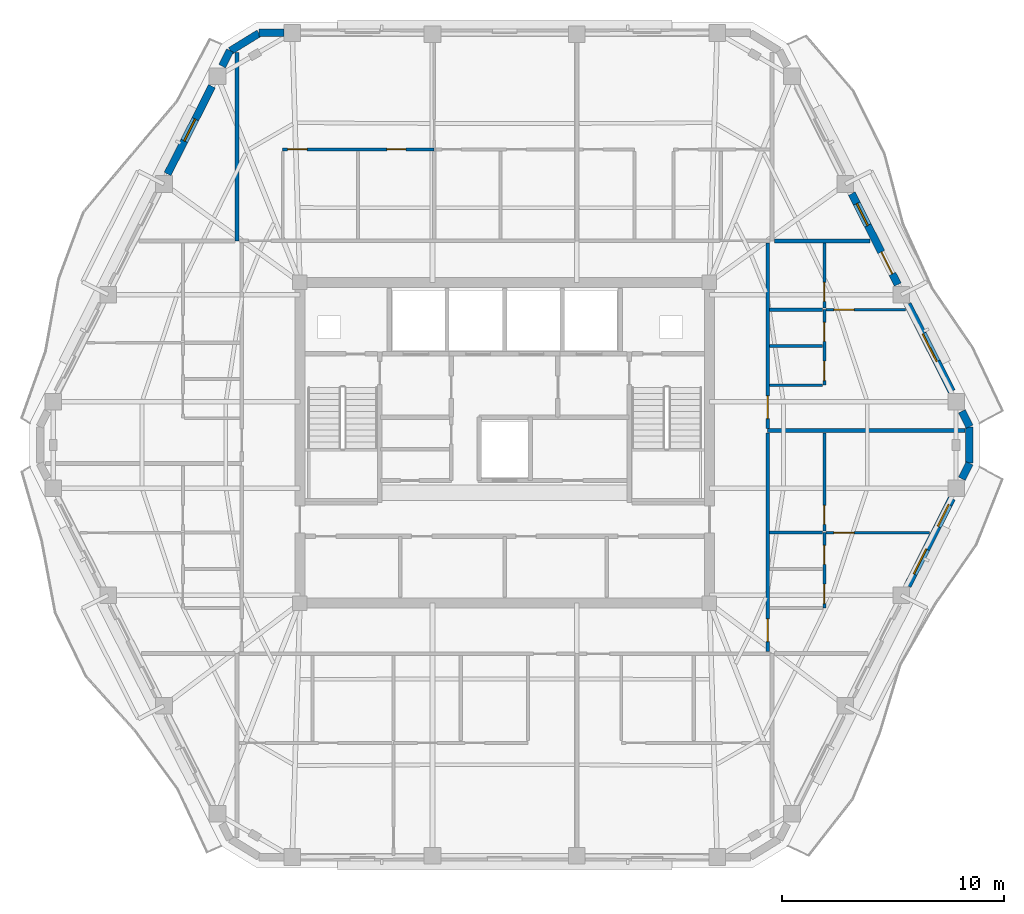
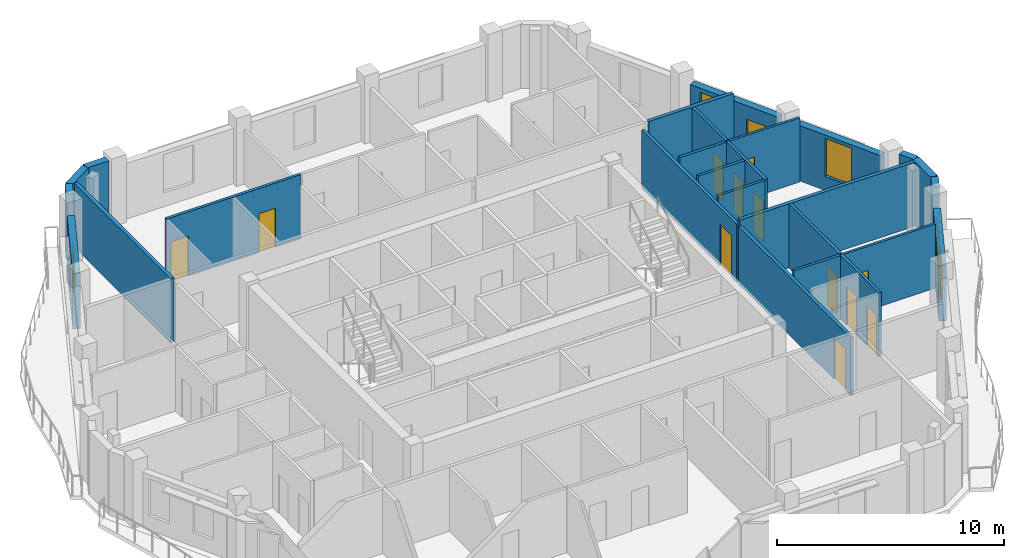
# One storey, part 7 of 11: 26 walls, 13 doors, 5 windows, 18 openings.
"""IFC4 building model written with IfcOpenShell, lengths in metres."""

from ifc_helpers import new_model, si_unit, direction, frame, frame_2d, origin, place, context, subcontext, project, spatial, rectangle, extrude, material, layer, layer_set, type_object, element, fill, save


model = new_model("IFC4")

# Units and contexts
model_context = context("Model", 3, precision=1e-05, world=origin(), true_north=direction((0.0, 1.0)))
body_context = subcontext(model_context, "Body", "Model", "MODEL_VIEW")
ifc_project = project(units=[si_unit("LENGTHUNIT", "METRE"), si_unit("AREAUNIT", "SQUARE_METRE"), si_unit("VOLUMEUNIT", "CUBIC_METRE"), si_unit("PLANEANGLEUNIT", "RADIAN"), si_unit("MASSUNIT", "GRAM", prefix="KILO")], contexts=[model_context])

# Site, building, storey
site_placement = place(None, origin())
site = spatial("IfcSite", under=ifc_project, at=site_placement, CompositionType="ELEMENT")
building_placement = place(site_placement, origin())
building = spatial("IfcBuilding", under=site, at=building_placement, Name="Cinnabar Lancet Tower", CompositionType="ELEMENT")
storey_placement = place(building_placement, frame((0.0, 0.0, 256.199951171875)))
storey = spatial("IfcBuildingStorey", under=building, at=storey_placement, Name="L68", CompositionType="ELEMENT", Elevation=256.199951171875)

# Wall, opening, door
ifc_material_1 = material(Name="Acoustic twin-stud gypsum partition", Category="gypsum")
ifc_layer_1 = layer(ifc_material_1, 0.159912109375)
ifc_layer_set_1 = layer_set([ifc_layer_1], Name="Acoustic twin-stud gypsum partition")
wall_type_1 = type_object("IfcWallType", Name="ARC-WL-CORR-160", PredefinedType="PARTITIONING", material=ifc_layer_set_1)
wall_1_placement = place(storey_placement, frame((44.25, 16.4951171875, 0.0), z_axis=(0.0, 0.0, 1.0), x_axis=(0.0, 1.0, 0.0)))
wall_1 = element("IfcWall", 1, at=wall_1_placement, inside=storey, type_object=wall_type_1, Name="UW-L68-E01-COR", PredefinedType="PARTITIONING", context=body_context, shape_type="SweptSolid", body=[
    extrude(rectangle(XDim=9.85400390625, YDim=0.159912109375, at=frame_2d((4.927001953125, 0.0))), origin(), (0.0, 0.0, 1.0), 3.136962890625),
])
opening_1_placement = place(wall_1_placement, frame((0.449951171875, 0.0, 0.0)))
opening_1 = element("IfcOpeningElement", 2, at=opening_1_placement, cuts=wall_1, Name="Opening UD-01", PredefinedType="OPENING", context=body_context, shape_type="SweptSolid", body=[
    extrude(rectangle(XDim=1.02001953125, YDim=2.25, at=frame_2d((0.510009765625, 1.125))), frame((0.0, 0.08984375, 0.0), z_axis=(0.0, -1.0, 0.0), x_axis=(1.0, 0.0, 0.0)), (0.0, 0.0, 1.0), 0.179931640625),
])
ifc_material_2 = material(Name="Solid timber fire-rated apartment entrance door", Category="wood")
door_type_1 = type_object("IfcDoorType", Name="ARC-DR-UNIT", OperationType="NOTDEFINED", PredefinedType="DOOR", material=ifc_material_2)
door_1_placement = place(opening_1_placement, origin())
door_1 = element("IfcDoor", 3, at=door_1_placement, inside=storey, type_object=door_type_1, Name="DR-L68-E01-ENT", OperationType="SINGLE_SWING_LEFT", OverallHeight=2.25, OverallWidth=1.02001953125, PredefinedType="DOOR", context=body_context, shape_type="SweptSolid", body=[
    extrude(rectangle(XDim=1.02001953125, YDim=2.25, at=frame_2d((0.510009765625, 1.125))), frame((0.0, 0.02490234375, 0.0), z_axis=(0.0, -1.0, 0.0), x_axis=(1.0, 0.0, 0.0)), (0.0, 0.0, 1.0), 0.050048828125),
])
fill(opening_1, door_1)

wall_2_placement = place(storey_placement, frame((44.25, 26.5390625, 0.0), z_axis=(0.0, 0.0, 1.0), x_axis=(0.0, 1.0, 0.0)))
wall_2 = element("IfcWall", 4, at=wall_2_placement, inside=storey, type_object=wall_type_1, Name="UW-L68-E02-COR", PredefinedType="PARTITIONING", context=body_context, shape_type="SweptSolid", body=[
    extrude(rectangle(XDim=8.365966796875, YDim=0.159912109375, at=frame_2d((4.18310546875, 0.0))), origin(), (0.0, 0.0, 1.0), 3.136962890625),
])
opening_2_placement = place(wall_2_placement, frame((0.449951171875, 0.0, 0.0)))
opening_2 = element("IfcOpeningElement", 5, at=opening_2_placement, cuts=wall_2, Name="Opening UD-01", PredefinedType="OPENING", context=body_context, shape_type="SweptSolid", body=[
    extrude(rectangle(XDim=1.02001953125, YDim=2.25, at=frame_2d((0.510009765625, 1.125))), frame((0.0, 0.08984375, 0.0), z_axis=(0.0, -1.0, 0.0), x_axis=(1.0, 0.0, 0.0)), (0.0, 0.0, 1.0), 0.179931640625),
])
door_2_placement = place(opening_2_placement, origin())
door_2 = element("IfcDoor", 6, at=door_2_placement, inside=storey, type_object=door_type_1, Name="DR-L68-E02-ENT", OperationType="SINGLE_SWING_RIGHT", OverallHeight=2.25, OverallWidth=1.02001953125, PredefinedType="DOOR", context=body_context, shape_type="SweptSolid", body=[
    extrude(rectangle(XDim=1.02001953125, YDim=2.25, at=frame_2d((0.510009765625, 1.125))), frame((0.0, 0.02490234375, 0.0), z_axis=(0.0, -1.0, 0.0), x_axis=(1.0, 0.0, 0.0)), (0.0, 0.0, 1.0), 0.050048828125),
])
fill(opening_2, door_2)

# Walls
ifc_material_3 = material(Name="Fire-rated twin-frame acoustic drywall", Category="gypsum")
ifc_layer_2 = layer(ifc_material_3, 0.179931640625)
ifc_layer_set_2 = layer_set([ifc_layer_2], Name="Fire-rated twin-frame acoustic drywall")
wall_type_2 = type_object("IfcWallType", Name="ARC-WL-PARTY-180", PredefinedType="PARTITIONING", material=ifc_layer_set_2)
wall_3_placement = place(storey_placement, frame((20.35009765625, 35.0, 0.0), z_axis=(0.0, 0.0, 1.0), x_axis=(0.0, 1.0, 0.0)))
element("IfcWall", 7, at=wall_3_placement, inside=storey, type_object=wall_type_2, Name="PW-L68-NPTY-204", PredefinedType="PARTITIONING", context=body_context, shape_type="SweptSolid", body=[
    extrude(rectangle(XDim=8.48095703125, YDim=0.179931640625, at=frame_2d((4.240478515625, 0.0))), origin(), (0.0, 0.0, 1.0), 3.449951171875),
])
wall_4_placement = place(storey_placement, frame((44.544921875, 35.0, 0.0), z_axis=(0.0, 0.0, 1.0), x_axis=(1.0, 0.0, 0.0)))
element("IfcWall", 8, at=wall_4_placement, inside=storey, type_object=wall_type_2, Name="PW-L68-ENB", PredefinedType="PARTITIONING", context=body_context, shape_type="SweptSolid", body=[
    extrude(rectangle(XDim=4.322021484375, YDim=0.179931640625, at=frame_2d((2.1611328125, 0.0))), origin(), (0.0, 0.0, 1.0), 3.449951171875),
])
wall_5_placement = place(storey_placement, frame((44.25, 26.444091796875, 0.0), z_axis=(0.0, 0.0, 1.0), x_axis=(1.0, 0.0, 0.0)))
element("IfcWall", 9, at=wall_5_placement, inside=storey, type_object=wall_type_2, Name="PW-L68-EPTY-1", PredefinedType="PARTITIONING", context=body_context, shape_type="SweptSolid", body=[
    extrude(rectangle(XDim=8.89794921875, YDim=0.179931640625, at=frame_2d((4.448974609375, 0.0))), origin(), (0.0, 0.0, 1.0), 3.449951171875),
])

# Wall, opening, door
ifc_material_4 = material(Name="Gypsum plasterboard stud partition", Category="gypsum")
ifc_layer_3 = layer(ifc_material_4, 0.125)
ifc_layer_set_3 = layer_set([ifc_layer_3], Name="Gypsum plasterboard stud partition")
wall_type_3 = type_object("IfcWallType", Name="ARC-WL-UNIT-125", PredefinedType="PARTITIONING", material=ifc_layer_set_3)
wall_6_placement = place(storey_placement, frame((46.875, 21.85009765625, 0.0), z_axis=(0.0, 0.0, 1.0), x_axis=(1.0, 0.0, 0.0)))
wall_6 = element("IfcWall", 10, at=wall_6_placement, inside=storey, type_object=wall_type_3, Name="UW-L68-E01-MBN", PredefinedType="PARTITIONING", context=body_context, shape_type="SweptSolid", body=[
    extrude(rectangle(XDim=4.6630859375, YDim=0.125, at=frame_2d((2.33154296875, 0.0))), origin(), (0.0, 0.0, 1.0), 3.449951171875),
])
opening_3_placement = place(wall_6_placement, frame((0.35009765625, 0.0, 0.0)))
opening_3 = element("IfcOpeningElement", 11, at=opening_3_placement, cuts=wall_6, Name="Opening RD-01", PredefinedType="OPENING", context=body_context, shape_type="SweptSolid", body=[
    extrude(rectangle(XDim=0.919921875, YDim=2.14990234375, at=frame_2d((0.4599609375, 1.074951171875))), frame((0.0, 0.072509765625, 0.0), z_axis=(0.0, -1.0, 0.0), x_axis=(1.0, 0.0, 0.0)), (0.0, 0.0, 1.0), 0.14501953125),
])
ifc_material_5 = material(Name="Engineered timber bedroom door", Category="wood")
door_type_2 = type_object("IfcDoorType", Name="ARC-DR-ROOM", OperationType="NOTDEFINED", PredefinedType="DOOR", material=ifc_material_5)
door_3_placement = place(opening_3_placement, origin())
door_3 = element("IfcDoor", 12, at=door_3_placement, inside=storey, type_object=door_type_2, Name="DR-L68-E01-MBD", OperationType="SINGLE_SWING_LEFT", OverallHeight=2.14990234375, OverallWidth=0.919921875, PredefinedType="DOOR", context=body_context, shape_type="SweptSolid", body=[
    extrude(rectangle(XDim=0.919921875, YDim=2.14990234375, at=frame_2d((0.4599609375, 1.074951171875))), frame((0.0, 0.02490234375, 0.0), z_axis=(0.0, -1.0, 0.0), x_axis=(1.0, 0.0, 0.0)), (0.0, 0.0, 1.0), 0.050048828125),
])
fill(opening_3, door_3)

# Wall
wall_7_placement = place(storey_placement, frame((44.3349609375, 28.493896484375, 0.0), z_axis=(0.0, 0.0, 1.0), x_axis=(1.0, 0.0, 0.0)))
element("IfcWall", 13, at=wall_7_placement, inside=storey, type_object=wall_type_3, Name="UW-L68-E02-FOYN", PredefinedType="PARTITIONING", context=body_context, shape_type="SweptSolid", body=[
    extrude(rectangle(XDim=2.380126953125, YDim=0.125, at=frame_2d((1.18994140625, 0.0))), origin(), (0.0, 0.0, 1.0), 3.449951171875),
])

# Wall, opening, door
wall_8_placement = place(storey_placement, frame((46.875, 31.89404296875, 0.0), z_axis=(0.0, 0.0, 1.0), x_axis=(1.0, 0.0, 0.0)))
wall_8 = element("IfcWall", 14, at=wall_8_placement, inside=storey, type_object=wall_type_3, Name="UW-L68-E02-MBN", PredefinedType="PARTITIONING", context=body_context, shape_type="SweptSolid", body=[
    extrude(rectangle(XDim=3.577880859375, YDim=0.125, at=frame_2d((1.7890625, 0.0))), origin(), (0.0, 0.0, 1.0), 3.449951171875),
])
opening_4_placement = place(wall_8_placement, frame((0.35009765625, 0.0, 0.0)))
opening_4 = element("IfcOpeningElement", 15, at=opening_4_placement, cuts=wall_8, Name="Opening RD-01", PredefinedType="OPENING", context=body_context, shape_type="SweptSolid", body=[
    extrude(rectangle(XDim=0.919921875, YDim=2.14990234375, at=frame_2d((0.4599609375, 1.074951171875))), frame((0.0, 0.072509765625, 0.0), z_axis=(0.0, -1.0, 0.0), x_axis=(1.0, 0.0, 0.0)), (0.0, 0.0, 1.0), 0.14501953125),
])
door_4_placement = place(opening_4_placement, origin())
door_4 = element("IfcDoor", 16, at=door_4_placement, inside=storey, type_object=door_type_2, Name="DR-L68-E02-MBD", OperationType="SINGLE_SWING_RIGHT", OverallHeight=2.14990234375, OverallWidth=0.919921875, PredefinedType="DOOR", context=body_context, shape_type="SweptSolid", body=[
    extrude(rectangle(XDim=0.919921875, YDim=2.14990234375, at=frame_2d((0.4599609375, 1.074951171875))), frame((0.0, 0.02490234375, 0.0), z_axis=(0.0, -1.0, 0.0), x_axis=(1.0, 0.0, 0.0)), (0.0, 0.0, 1.0), 0.050048828125),
])
fill(opening_4, door_4)

# Wall, openings, doors
ifc_material_6 = material(Name="Moisture-resistant cement-board plumbing wall", Category="masonry")
ifc_layer_4 = layer(ifc_material_6, 0.139892578125)
ifc_layer_set_4 = layer_set([ifc_layer_4], Name="Moisture-resistant cement-board plumbing wall")
wall_type_4 = type_object("IfcWallType", Name="ARC-WL-WET-140", PredefinedType="PLUMBINGWALL", material=ifc_layer_set_4)
wall_9_placement = place(storey_placement, frame((22.39990234375, 39.114990234375, 0.0), z_axis=(0.0, 0.0, 1.0), x_axis=(1.0, 0.0, 0.0)))
wall_9 = element("IfcWall", 17, at=wall_9_placement, inside=storey, type_object=wall_type_4, Name="UW-L68-N01-SPL", PredefinedType="PLUMBINGWALL", context=body_context, shape_type="SweptSolid", body=[
    extrude(rectangle(XDim=6.826171875, YDim=0.139892578125, at=frame_2d((3.4130859375, 0.0))), origin(), (0.0, 0.0, 1.0), 3.449951171875),
])
opening_5_placement = place(wall_9_placement, frame((4.68798828125, 0.0, 0.0)))
opening_5 = element("IfcOpeningElement", 18, at=opening_5_placement, cuts=wall_9, Name="Opening BD-01", PredefinedType="OPENING", context=body_context, shape_type="SweptSolid", body=[
    extrude(rectangle(XDim=0.860107421875, YDim=2.10009765625, at=frame_2d((0.43017578125, 1.050048828125))), frame((0.0, 0.079833984375, 0.0), z_axis=(0.0, -1.0, 0.0), x_axis=(1.0, 0.0, 0.0)), (0.0, 0.0, 1.0), 0.159912109375),
])
opening_6_placement = place(wall_9_placement, frame((0.219970703125, 0.0, 0.0)))
opening_6 = element("IfcOpeningElement", 19, at=opening_6_placement, cuts=wall_9, Name="Opening RD-02", PredefinedType="OPENING", context=body_context, shape_type="SweptSolid", body=[
    extrude(rectangle(XDim=0.8798828125, YDim=2.14990234375, at=frame_2d((0.43994140625, 1.074951171875))), frame((0.0, 0.079833984375, 0.0), z_axis=(0.0, -1.0, 0.0), x_axis=(1.0, 0.0, 0.0)), (0.0, 0.0, 1.0), 0.159912109375),
])
ifc_material_7 = material(Name="Moisture-resistant timber bathroom door", Category="wood")
door_type_3 = type_object("IfcDoorType", Name="ARC-DR-BATH", OperationType="NOTDEFINED", PredefinedType="DOOR", material=ifc_material_7)
door_5_placement = place(opening_5_placement, origin())
door_5 = element("IfcDoor", 20, at=door_5_placement, inside=storey, type_object=door_type_3, Name="DR-L68-N01-BTH", OperationType="SINGLE_SWING_LEFT", OverallHeight=2.10009765625, OverallWidth=0.860107421875, PredefinedType="DOOR", context=body_context, shape_type="SweptSolid", body=[
    extrude(rectangle(XDim=0.860107421875, YDim=2.10009765625, at=frame_2d((0.43017578125, 1.050048828125))), frame((0.0, 0.02490234375, 0.0), z_axis=(0.0, -1.0, 0.0), x_axis=(1.0, 0.0, 0.0)), (0.0, 0.0, 1.0), 0.050048828125),
])
fill(opening_5, door_5)
ifc_material_8 = material(Name="Engineered timber study door", Category="wood")
door_type_4 = type_object("IfcDoorType", Name="ARC-DR-STUDY", OperationType="NOTDEFINED", PredefinedType="DOOR", material=ifc_material_8)
door_6_placement = place(opening_6_placement, origin())
door_6 = element("IfcDoor", 21, at=door_6_placement, inside=storey, type_object=door_type_4, Name="DR-L68-N01-KIT", OperationType="SINGLE_SWING_RIGHT", OverallHeight=2.14990234375, OverallWidth=0.8798828125, PredefinedType="DOOR", context=body_context, shape_type="SweptSolid", body=[
    extrude(rectangle(XDim=0.8798828125, YDim=2.14990234375, at=frame_2d((0.43994140625, 1.074951171875))), frame((0.0, 0.02490234375, 0.0), z_axis=(0.0, -1.0, 0.0), x_axis=(1.0, 0.0, 0.0)), (0.0, 0.0, 1.0), 0.050048828125),
])
fill(opening_6, door_6)

wall_10_placement = place(storey_placement, frame((46.800048828125, 18.449951171875, 0.0), z_axis=(0.0, 0.0, 1.0), x_axis=(0.0, 1.0, 0.0)))
wall_10 = element("IfcWall", 22, at=wall_10_placement, inside=storey, type_object=wall_type_4, Name="UW-L68-E01-SPL", PredefinedType="PLUMBINGWALL", context=body_context, shape_type="SweptSolid", body=[
    extrude(rectangle(XDim=3.400146484375, YDim=0.139892578125, at=frame_2d((1.7001953125, 0.0))), origin(), (0.0, 0.0, 1.0), 3.449951171875),
])
opening_7_placement = place(wall_10_placement, frame((0.199951171875, 0.0, 0.0)))
opening_7 = element("IfcOpeningElement", 23, at=opening_7_placement, cuts=wall_10, Name="Opening RD-02", PredefinedType="OPENING", context=body_context, shape_type="SweptSolid", body=[
    extrude(rectangle(XDim=0.8798828125, YDim=2.14990234375, at=frame_2d((0.43994140625, 1.074951171875))), frame((0.0, 0.079833984375, 0.0), z_axis=(0.0, -1.0, 0.0), x_axis=(1.0, 0.0, 0.0)), (0.0, 0.0, 1.0), 0.159912109375),
])
opening_8_placement = place(wall_10_placement, frame((1.968017578125, 0.0, 0.0)))
opening_8 = element("IfcOpeningElement", 24, at=opening_8_placement, cuts=wall_10, Name="Opening BD-01", PredefinedType="OPENING", context=body_context, shape_type="SweptSolid", body=[
    extrude(rectangle(XDim=0.860107421875, YDim=2.10009765625, at=frame_2d((0.43017578125, 1.050048828125))), frame((0.0, 0.079833984375, 0.0), z_axis=(0.0, -1.0, 0.0), x_axis=(1.0, 0.0, 0.0)), (0.0, 0.0, 1.0), 0.159912109375),
])
door_7_placement = place(opening_8_placement, origin())
door_7 = element("IfcDoor", 25, at=door_7_placement, inside=storey, type_object=door_type_3, Name="DR-L68-E01-BTH", OperationType="SINGLE_SWING_LEFT", OverallHeight=2.10009765625, OverallWidth=0.860107421875, PredefinedType="DOOR", context=body_context, shape_type="SweptSolid", body=[
    extrude(rectangle(XDim=0.860107421875, YDim=2.10009765625, at=frame_2d((0.43017578125, 1.050048828125))), frame((0.0, 0.02490234375, 0.0), z_axis=(0.0, -1.0, 0.0), x_axis=(1.0, 0.0, 0.0)), (0.0, 0.0, 1.0), 0.050048828125),
])
fill(opening_8, door_7)
door_8_placement = place(opening_7_placement, origin())
door_8 = element("IfcDoor", 26, at=door_8_placement, inside=storey, type_object=door_type_4, Name="DR-L68-E01-KIT", OperationType="SINGLE_SWING_RIGHT", OverallHeight=2.14990234375, OverallWidth=0.8798828125, PredefinedType="DOOR", context=body_context, shape_type="SweptSolid", body=[
    extrude(rectangle(XDim=0.8798828125, YDim=2.14990234375, at=frame_2d((0.43994140625, 1.074951171875))), frame((0.0, 0.02490234375, 0.0), z_axis=(0.0, -1.0, 0.0), x_axis=(1.0, 0.0, 0.0)), (0.0, 0.0, 1.0), 0.050048828125),
])
fill(opening_7, door_8)

# Wall, opening, door
wall_11_placement = place(storey_placement, frame((46.800048828125, 21.919921875, 0.0), z_axis=(0.0, 0.0, 1.0), x_axis=(0.0, 1.0, 0.0)))
wall_11 = element("IfcWall", 27, at=wall_11_placement, inside=storey, type_object=wall_type_4, Name="UW-L68-E01-SPM", PredefinedType="PLUMBINGWALL", context=body_context, shape_type="SweptSolid", body=[
    extrude(rectangle(XDim=4.42919921875, YDim=0.139892578125, at=frame_2d((2.214599609375, 0.0))), origin(), (0.0, 0.0, 1.0), 3.449951171875),
])
opening_9_placement = place(wall_11_placement, frame((0.300048828125, 0.0, 0.0)))
opening_9 = element("IfcOpeningElement", 28, at=opening_9_placement, cuts=wall_11, Name="Opening BD-01", PredefinedType="OPENING", context=body_context, shape_type="SweptSolid", body=[
    extrude(rectangle(XDim=0.860107421875, YDim=2.10009765625, at=frame_2d((0.43017578125, 1.050048828125))), frame((0.0, 0.079833984375, 0.0), z_axis=(0.0, -1.0, 0.0), x_axis=(1.0, 0.0, 0.0)), (0.0, 0.0, 1.0), 0.159912109375),
])
door_9_placement = place(opening_9_placement, origin())
door_9 = element("IfcDoor", 29, at=door_9_placement, inside=storey, type_object=door_type_3, Name="DR-L68-E01-ENS", OperationType="SINGLE_SWING_LEFT", OverallHeight=2.10009765625, OverallWidth=0.860107421875, PredefinedType="DOOR", context=body_context, shape_type="SweptSolid", body=[
    extrude(rectangle(XDim=0.860107421875, YDim=2.10009765625, at=frame_2d((0.43017578125, 1.050048828125))), frame((0.0, 0.02490234375, 0.0), z_axis=(0.0, -1.0, 0.0), x_axis=(1.0, 0.0, 0.0)), (0.0, 0.0, 1.0), 0.050048828125),
])
fill(opening_9, door_9)

# Wall
wall_12_placement = place(storey_placement, frame((44.3349609375, 21.85009765625, 0.0), z_axis=(0.0, 0.0, 1.0), x_axis=(1.0, 0.0, 0.0)))
element("IfcWall", 30, at=wall_12_placement, inside=storey, type_object=wall_type_4, Name="UW-L68-E01-ENSN", PredefinedType="PLUMBINGWALL", context=body_context, shape_type="SweptSolid", body=[
    extrude(rectangle(XDim=2.380126953125, YDim=0.139892578125, at=frame_2d((1.18994140625, 0.0))), origin(), (0.0, 0.0, 1.0), 3.449951171875),
])

# Wall, openings, doors
wall_13_placement = place(storey_placement, frame((46.800048828125, 28.493896484375, 0.0), z_axis=(0.0, 0.0, 1.0), x_axis=(0.0, 1.0, 0.0)))
wall_13 = element("IfcWall", 31, at=wall_13_placement, inside=storey, type_object=wall_type_4, Name="UW-L68-E02-SPL", PredefinedType="PLUMBINGWALL", context=body_context, shape_type="SweptSolid", body=[
    extrude(rectangle(XDim=3.400146484375, YDim=0.139892578125, at=frame_2d((1.7001953125, 0.0))), origin(), (0.0, 0.0, 1.0), 3.449951171875),
])
opening_10_placement = place(wall_13_placement, frame((0.199951171875, 0.0, 0.0)))
opening_10 = element("IfcOpeningElement", 32, at=opening_10_placement, cuts=wall_13, Name="Opening RD-02", PredefinedType="OPENING", context=body_context, shape_type="SweptSolid", body=[
    extrude(rectangle(XDim=0.8798828125, YDim=2.14990234375, at=frame_2d((0.43994140625, 1.074951171875))), frame((0.0, 0.079833984375, 0.0), z_axis=(0.0, -1.0, 0.0), x_axis=(1.0, 0.0, 0.0)), (0.0, 0.0, 1.0), 0.159912109375),
])
opening_11_placement = place(wall_13_placement, frame((1.968017578125, 0.0, 0.0)))
opening_11 = element("IfcOpeningElement", 33, at=opening_11_placement, cuts=wall_13, Name="Opening BD-01", PredefinedType="OPENING", context=body_context, shape_type="SweptSolid", body=[
    extrude(rectangle(XDim=0.860107421875, YDim=2.10009765625, at=frame_2d((0.43017578125, 1.050048828125))), frame((0.0, 0.079833984375, 0.0), z_axis=(0.0, -1.0, 0.0), x_axis=(1.0, 0.0, 0.0)), (0.0, 0.0, 1.0), 0.159912109375),
])
door_10_placement = place(opening_11_placement, origin())
door_10 = element("IfcDoor", 34, at=door_10_placement, inside=storey, type_object=door_type_3, Name="DR-L68-E02-BTH", OperationType="SINGLE_SWING_RIGHT", OverallHeight=2.10009765625, OverallWidth=0.860107421875, PredefinedType="DOOR", context=body_context, shape_type="SweptSolid", body=[
    extrude(rectangle(XDim=0.860107421875, YDim=2.10009765625, at=frame_2d((0.43017578125, 1.050048828125))), frame((0.0, 0.02490234375, 0.0), z_axis=(0.0, -1.0, 0.0), x_axis=(1.0, 0.0, 0.0)), (0.0, 0.0, 1.0), 0.050048828125),
])
fill(opening_11, door_10)
door_11_placement = place(opening_10_placement, origin())
door_11 = element("IfcDoor", 35, at=door_11_placement, inside=storey, type_object=door_type_4, Name="DR-L68-E02-KIT", OperationType="SINGLE_SWING_LEFT", OverallHeight=2.14990234375, OverallWidth=0.8798828125, PredefinedType="DOOR", context=body_context, shape_type="SweptSolid", body=[
    extrude(rectangle(XDim=0.8798828125, YDim=2.14990234375, at=frame_2d((0.43994140625, 1.074951171875))), frame((0.0, 0.02490234375, 0.0), z_axis=(0.0, -1.0, 0.0), x_axis=(1.0, 0.0, 0.0)), (0.0, 0.0, 1.0), 0.050048828125),
])
fill(opening_10, door_11)

# Wall, opening, door
wall_14_placement = place(storey_placement, frame((46.800048828125, 31.964111328125, 0.0), z_axis=(0.0, 0.0, 1.0), x_axis=(0.0, 1.0, 0.0)))
wall_14 = element("IfcWall", 36, at=wall_14_placement, inside=storey, type_object=wall_type_4, Name="UW-L68-E02-SPM", PredefinedType="PLUMBINGWALL", context=body_context, shape_type="SweptSolid", body=[
    extrude(rectangle(XDim=2.94091796875, YDim=0.139892578125, at=frame_2d((1.470458984375, 0.0))), origin(), (0.0, 0.0, 1.0), 3.449951171875),
])
opening_12_placement = place(wall_14_placement, frame((0.300048828125, 0.0, 0.0)))
opening_12 = element("IfcOpeningElement", 37, at=opening_12_placement, cuts=wall_14, Name="Opening BD-01", PredefinedType="OPENING", context=body_context, shape_type="SweptSolid", body=[
    extrude(rectangle(XDim=0.860107421875, YDim=2.10009765625, at=frame_2d((0.43017578125, 1.050048828125))), frame((0.0, 0.079833984375, 0.0), z_axis=(0.0, -1.0, 0.0), x_axis=(1.0, 0.0, 0.0)), (0.0, 0.0, 1.0), 0.159912109375),
])
door_12_placement = place(opening_12_placement, origin())
door_12 = element("IfcDoor", 38, at=door_12_placement, inside=storey, type_object=door_type_3, Name="DR-L68-E02-ENS", OperationType="SINGLE_SWING_RIGHT", OverallHeight=2.10009765625, OverallWidth=0.860107421875, PredefinedType="DOOR", context=body_context, shape_type="SweptSolid", body=[
    extrude(rectangle(XDim=0.860107421875, YDim=2.10009765625, at=frame_2d((0.43017578125, 1.050048828125))), frame((0.0, 0.02490234375, 0.0), z_axis=(0.0, -1.0, 0.0), x_axis=(1.0, 0.0, 0.0)), (0.0, 0.0, 1.0), 0.050048828125),
])
fill(opening_12, door_12)

# Walls
for number, where, z_axis, x_axis, name in (
    (39, (44.3349609375, 31.89404296875, 0.0), (0.0, 0.0, 1.0), (1.0, 0.0, 0.0), "UW-L68-E02-ENSN"),
    (40, (44.3349609375, 30.261962890625, 0.0), (0.0, 0.0, 1.0), (1.0, 0.0, 0.0), "UW-L68-E02-KDV"),
):
    element("IfcWall", number, at=place(storey_placement, frame(where, z_axis=z_axis, x_axis=x_axis)), inside=storey, type_object=wall_type_4, Name=name, PredefinedType="PLUMBINGWALL", context=body_context, shape_type="SweptSolid", body=[
        extrude(rectangle(XDim=2.380126953125, YDim=0.139892578125, at=frame_2d((1.18994140625, 0.0))), origin(), (0.0, 0.0, 1.0), 3.449951171875),
    ])
ifc_material_9 = material(Name="Cinnabar red clay brick", Category="masonry")
ifc_layer_5 = layer(ifc_material_9, 0.340087890625)
ifc_layer_set_5 = layer_set([ifc_layer_5], Name="Cinnabar red clay brick")
wall_type_5 = type_object("IfcWallType", Name="ENV-WL-BRK-RED-340", PredefinedType="STANDARD", material=ifc_layer_set_5)
wall_15_placement = place(storey_placement, frame((53.322998046875, 24.97998046875, 0.0), z_axis=(0.0, 0.0, 1.0), x_axis=(0.0, 1.0, 0.0)))
element("IfcWall", 41, at=wall_15_placement, inside=storey, type_object=wall_type_5, Name="L68 Chamfered Corner Brick Pier 3.1", PredefinedType="STANDARD", context=body_context, shape_type="SweptSolid", body=[
    extrude(rectangle(XDim=1.64013671875, YDim=0.340087890625, at=frame_2d((0.820068359375, 0.0))), origin(), (0.0, 0.0, 1.0), 3.449951171875),
])
wall_16_placement = place(storey_placement, frame((21.3310546875, 44.344970703125, 0.0), z_axis=(0.0, 0.0, 1.0), x_axis=(-0.851680557619, -0.52406128246, 0.0)))
element("IfcWall", 42, at=wall_16_placement, inside=storey, type_object=wall_type_5, Name="L68 Chamfered Corner Brick Pier 5.1", PredefinedType="STANDARD", context=body_context, shape_type="SweptSolid", body=[
    extrude(rectangle(XDim=1.507568359375, YDim=0.340087890625, at=frame_2d((0.75390625, 0.0))), origin(), (0.0, 0.0, 1.0), 3.449951171875),
])

# Wall, openings, windows
wall_17_placement = place(storey_placement, frame((50.553955078125, 19.4560546875, 0.0), z_axis=(0.0, 0.0, 1.0), x_axis=(0.45130817501, 0.892368158984, 0.0)))
wall_17 = element("IfcWall", 43, at=wall_17_placement, inside=storey, type_object=wall_type_5, Name="L68 Face 2 Masonry Bay Wall 4", PredefinedType="STANDARD", context=body_context, shape_type="SweptSolid", body=[
    extrude(rectangle(XDim=4.4072265625, YDim=0.340087890625, at=frame_2d((2.20361328125, 0.0))), origin(), (0.0, 0.0, 1.0), 2.983154296875),
])
opening_13_placement = place(wall_17_placement, frame((0.60498046875, 0.0, 0.75)))
opening_13 = element("IfcOpeningElement", 44, at=opening_13_placement, cuts=wall_17, Name="Opening WN-03", PredefinedType="OPENING", context=body_context, shape_type="SweptSolid", body=[
    extrude(rectangle(XDim=1.25, YDim=1.949951171875, at=frame_2d((0.625, 0.97509765625))), frame((0.0, 0.179931640625, 0.0), z_axis=(0.0, -1.0, 0.0), x_axis=(1.0, 0.0, 0.0)), (0.0, 0.0, 1.0), 0.360107421875),
])
opening_14_placement = place(wall_17_placement, frame((3.00390625, 0.0, 0.75)))
opening_14 = element("IfcOpeningElement", 45, at=opening_14_placement, cuts=wall_17, Name="Opening WN-04", PredefinedType="OPENING", context=body_context, shape_type="SweptSolid", body=[
    extrude(rectangle(XDim=1.10009765625, YDim=2.0, at=frame_2d((0.550048828125, 1.0))), frame((0.0, 0.179931640625, 0.0), z_axis=(0.0, -1.0, 0.0), x_axis=(1.0, 0.0, 0.0)), (0.0, 0.0, 1.0), 0.360107421875),
])
ifc_material_10 = material(Name="Thermally broken bronze-anodized aluminium tall lancet window", Category="aluminium")
window_type_1 = type_object("IfcWindowType", Name="ENV-WN-LANCET-1100", PartitioningType="SINGLE_PANEL", PredefinedType="WINDOW", material=ifc_material_10)
window_1_placement = place(opening_14_placement, origin())
window_1 = element("IfcWindow", 46, at=window_1_placement, inside=storey, type_object=window_type_1, Name="L68 Split-Bay Gothic Lancet Window 244", OverallHeight=2.0, OverallWidth=1.10009765625, PartitioningType="SINGLE_PANEL", PredefinedType="WINDOW", context=body_context, shape_type="SweptSolid", body=[
    extrude(rectangle(XDim=1.10009765625, YDim=2.0, at=frame_2d((0.550048828125, 1.0))), frame((0.0, 0.030029296875, 0.0), z_axis=(0.0, -1.0, 0.0), x_axis=(1.0, 0.0, 0.0)), (0.0, 0.0, 1.0), 0.06005859375),
])
fill(opening_14, window_1)
ifc_material_11 = material(Name="Thermally broken bronze-anodized aluminium low-E double glazing", Category="aluminium")
window_type_2 = type_object("IfcWindowType", Name="ENV-WN-LANCET-1250", PartitioningType="SINGLE_PANEL", PredefinedType="WINDOW", material=ifc_material_11)
window_2_placement = place(opening_13_placement, origin())
window_2 = element("IfcWindow", 47, at=window_2_placement, inside=storey, type_object=window_type_2, Name="L68 Face 2 Gothic Lancet Window 4", OverallHeight=1.949951171875, OverallWidth=1.25, PartitioningType="SINGLE_PANEL", PredefinedType="WINDOW", context=body_context, shape_type="SweptSolid", body=[
    extrude(rectangle(XDim=1.25, YDim=1.949951171875, at=frame_2d((0.625, 0.97509765625))), frame((0.0, 0.030029296875, 0.0), z_axis=(0.0, -1.0, 0.0), x_axis=(1.0, 0.0, 0.0)), (0.0, 0.0, 1.0), 0.06005859375),
])
fill(opening_13, window_2)

# Walls
for number, where, z_axis, x_axis, name in (
    (48, (52.99609375, 24.283935546875, 0.0), (0.0, 0.0, 1.0), (0.45075284655, 0.892648795063, 0.0), "L68 Face 2 Masonry Bay Wall 5"),
    (49, (53.343994140625, 26.626953125, 0.0), (0.0, 0.0, 1.0), (-0.45075284655, 0.892648795063, 0.0), "L68 Face 3 Masonry Bay Wall 1"),
):
    element("IfcWall", number, at=place(storey_placement, frame(where, z_axis=z_axis, x_axis=x_axis)), inside=storey, type_object=wall_type_5, Name=name, PredefinedType="STANDARD", context=body_context, shape_type="SweptSolid", body=[
        extrude(rectangle(XDim=0.771728515625, YDim=0.340087890625, at=frame_2d((0.3857421875, 0.0))), origin(), (0.0, 0.0, 1.0), 3.449951171875),
    ])

# Wall, opening, window
wall_18_placement = place(storey_placement, frame((52.54296875, 28.2109375, 0.0), z_axis=(0.0, 0.0, 1.0), x_axis=(-0.451285866323, 0.892379441077, 0.0)))
wall_18 = element("IfcWall", 50, at=wall_18_placement, inside=storey, type_object=wall_type_5, Name="L68 Face 3 Masonry Bay Wall 2", PredefinedType="STANDARD", context=body_context, shape_type="SweptSolid", body=[
    extrude(rectangle(XDim=4.407470703125, YDim=0.340087890625, at=frame_2d((2.20361328125, 0.0))), origin(), (0.0, 0.0, 1.0), 2.983154296875),
])
opening_15_placement = place(wall_18_placement, frame((1.50390625, 0.0, 0.75)))
opening_15 = element("IfcOpeningElement", 51, at=opening_15_placement, cuts=wall_18, Name="Opening WN-02", PredefinedType="OPENING", context=body_context, shape_type="SweptSolid", body=[
    extrude(rectangle(XDim=1.39990234375, YDim=2.050048828125, at=frame_2d((0.699951171875, 1.02490234375))), frame((0.0, 0.179931640625, 0.0), z_axis=(0.0, -1.0, 0.0), x_axis=(1.0, 0.0, 0.0)), (0.0, 0.0, 1.0), 0.360107421875),
])
ifc_material_12 = material(Name="Thermally broken bronze-anodized aluminium low-E double glazing", Category="aluminium")
window_type_3 = type_object("IfcWindowType", Name="ENV-WN-LANCET-1400", PartitioningType="SINGLE_PANEL", PredefinedType="WINDOW", material=ifc_material_12)
window_3_placement = place(opening_15_placement, origin())
window_3 = element("IfcWindow", 52, at=window_3_placement, inside=storey, type_object=window_type_3, Name="L68 Face 3 Gothic Lancet Window 2", OverallHeight=2.050048828125, OverallWidth=1.39990234375, PartitioningType="SINGLE_PANEL", PredefinedType="WINDOW", context=body_context, shape_type="SweptSolid", body=[
    extrude(rectangle(XDim=1.39990234375, YDim=2.050048828125, at=frame_2d((0.699951171875, 1.02490234375))), frame((0.0, 0.030029296875, 0.0), z_axis=(0.0, -1.0, 0.0), x_axis=(1.0, 0.0, 0.0)), (0.0, 0.0, 1.0), 0.06005859375),
])
fill(opening_15, window_3)

# Wall, openings, door, window
wall_19_placement = place(storey_placement, frame((50.10888671875, 33.02294921875, 0.0), z_axis=(0.0, 0.0, 1.0), x_axis=(-0.451539564999, 0.892251097641, 0.0)))
wall_19 = element("IfcWall", 53, at=wall_19_placement, inside=storey, type_object=wall_type_5, Name="L68 Face 3 Masonry Bay Wall 3", PredefinedType="STANDARD", context=body_context, shape_type="SweptSolid", body=[
    extrude(rectangle(XDim=4.599609375, YDim=0.340087890625, at=frame_2d((2.2998046875, 0.0))), origin(), (0.0, 0.0, 1.0), 2.983154296875),
])
opening_16_placement = place(wall_19_placement, frame((0.5419921875, 0.0, 0.0)))
opening_16 = element("IfcOpeningElement", 54, at=opening_16_placement, cuts=wall_19, Name="Opening TD-01", PredefinedType="OPENING", context=body_context, shape_type="SweptSolid", body=[
    extrude(rectangle(XDim=1.10009765625, YDim=2.25, at=frame_2d((0.550048828125, 1.125))), frame((0.0, 0.179931640625, 0.0), z_axis=(0.0, -1.0, 0.0), x_axis=(1.0, 0.0, 0.0)), (0.0, 0.0, 1.0), 0.360107421875),
])
opening_17_placement = place(wall_19_placement, frame((2.988037109375, 0.0, 0.75)))
opening_17 = element("IfcOpeningElement", 55, at=opening_17_placement, cuts=wall_19, Name="Opening WN-04", PredefinedType="OPENING", context=body_context, shape_type="SweptSolid", body=[
    extrude(rectangle(XDim=1.10009765625, YDim=2.0, at=frame_2d((0.550048828125, 1.0))), frame((0.0, 0.179931640625, 0.0), z_axis=(0.0, -1.0, 0.0), x_axis=(1.0, 0.0, 0.0)), (0.0, 0.0, 1.0), 0.360107421875),
])
ifc_material_13 = material(Name="Thermally broken low-E glazed balcony terrace door", Category="wood")
door_type_5 = type_object("IfcDoorType", Name="ARC-DR-BALC", OperationType="NOTDEFINED", PredefinedType="DOOR", material=ifc_material_13)
door_13_placement = place(opening_16_placement, origin())
door_13 = element("IfcDoor", 56, at=door_13_placement, inside=storey, type_object=door_type_5, Name="L68 Face 3 Glazed Terrace Door", OperationType="SINGLE_SWING_LEFT", OverallHeight=2.25, OverallWidth=1.10009765625, PredefinedType="DOOR", context=body_context, shape_type="SweptSolid", body=[
    extrude(rectangle(XDim=1.10009765625, YDim=2.25, at=frame_2d((0.550048828125, 1.125))), frame((0.0, 0.02490234375, 0.0), z_axis=(0.0, -1.0, 0.0), x_axis=(1.0, 0.0, 0.0)), (0.0, 0.0, 1.0), 0.050048828125),
])
fill(opening_16, door_13)
window_4_placement = place(opening_17_placement, origin())
window_4 = element("IfcWindow", 57, at=window_4_placement, inside=storey, type_object=window_type_1, Name="L68 Split-Bay Gothic Lancet Window 245", OverallHeight=2.0, OverallWidth=1.10009765625, PartitioningType="SINGLE_PANEL", PredefinedType="WINDOW", context=body_context, shape_type="SweptSolid", body=[
    extrude(rectangle(XDim=1.10009765625, YDim=2.0, at=frame_2d((0.550048828125, 1.0))), frame((0.0, 0.030029296875, 0.0), z_axis=(0.0, -1.0, 0.0), x_axis=(1.0, 0.0, 0.0)), (0.0, 0.0, 1.0), 0.06005859375),
])
fill(opening_17, window_4)

# Walls
wall_20_placement = place(storey_placement, frame((22.448974609375, 44.3701171875, 0.0), z_axis=(0.0, 0.0, 1.0), x_axis=(-1.0, 0.0, 0.0)))
element("IfcWall", 58, at=wall_20_placement, inside=storey, type_object=wall_type_5, Name="L68 Face 4 Masonry Bay Wall 5", PredefinedType="STANDARD", context=body_context, shape_type="SweptSolid", body=[
    extrude(rectangle(XDim=1.123046875, YDim=0.340087890625, at=frame_2d((0.5615234375, 0.0))), origin(), (0.0, 0.0, 1.0), 3.449951171875),
])
wall_21_placement = place(storey_placement, frame((20.027099609375, 43.571044921875, 0.0), z_axis=(0.0, 0.0, 1.0), x_axis=(-0.451404919072, -0.89231922485, 0.0)))
element("IfcWall", 59, at=wall_21_placement, inside=storey, type_object=wall_type_5, Name="L68 Face 5 Masonry Bay Wall 1", PredefinedType="STANDARD", context=body_context, shape_type="SweptSolid", body=[
    extrude(rectangle(XDim=0.791259765625, YDim=0.340087890625, at=frame_2d((0.3955078125, 0.0))), origin(), (0.0, 0.0, 1.0), 3.449951171875),
])

# Wall, opening, window
wall_22_placement = place(storey_placement, frame((19.214111328125, 41.962890625, 0.0), z_axis=(0.0, 0.0, 1.0), x_axis=(-0.451463046281, -0.89228981718, 0.0)))
wall_22 = element("IfcWall", 60, at=wall_22_placement, inside=storey, type_object=wall_type_5, Name="L68 Face 5 Masonry Bay Wall 2", PredefinedType="STANDARD", context=body_context, shape_type="SweptSolid", body=[
    extrude(rectangle(XDim=4.429931640625, YDim=0.340087890625, at=frame_2d((2.21484375, 0.0))), origin(), (0.0, 0.0, 1.0), 2.983154296875),
])
opening_18_placement = place(wall_22_placement, frame((1.6650390625, 0.0, 0.75)))
opening_18 = element("IfcOpeningElement", 61, at=opening_18_placement, cuts=wall_22, Name="Opening WN-04", PredefinedType="OPENING", context=body_context, shape_type="SweptSolid", body=[
    extrude(rectangle(XDim=1.10009765625, YDim=2.0, at=frame_2d((0.550048828125, 1.0))), frame((0.0, 0.179931640625, 0.0), z_axis=(0.0, -1.0, 0.0), x_axis=(1.0, 0.0, 0.0)), (0.0, 0.0, 1.0), 0.360107421875),
])
window_5_placement = place(opening_18_placement, origin())
window_5 = element("IfcWindow", 62, at=window_5_placement, inside=storey, type_object=window_type_1, Name="L68 Face 5 Gothic Lancet Window 2", OverallHeight=2.0, OverallWidth=1.10009765625, PartitioningType="SINGLE_PANEL", PredefinedType="WINDOW", context=body_context, shape_type="SweptSolid", body=[
    extrude(rectangle(XDim=1.10009765625, YDim=2.0, at=frame_2d((0.550048828125, 1.0))), frame((0.0, 0.030029296875, 0.0), z_axis=(0.0, -1.0, 0.0), x_axis=(1.0, 0.0, 0.0)), (0.0, 0.0, 1.0), 0.06005859375),
])
fill(opening_18, window_5)

save(model, "model.ifc")
